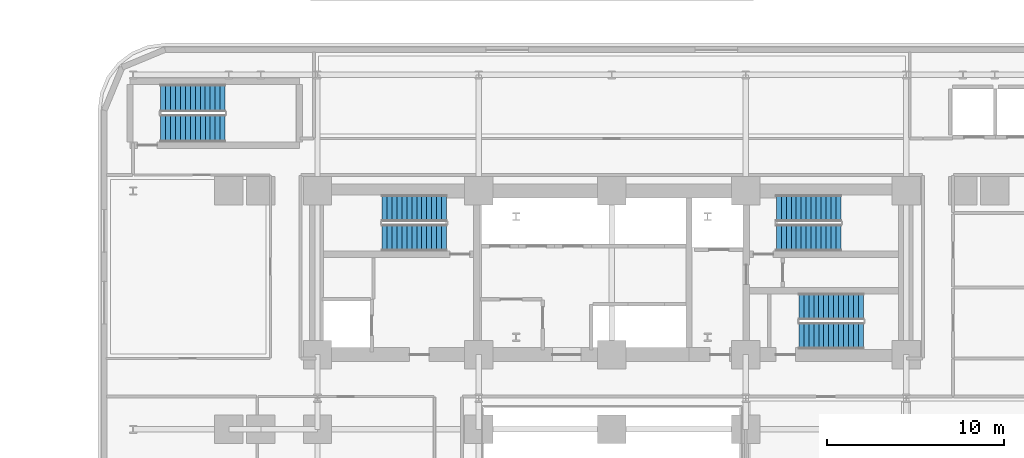
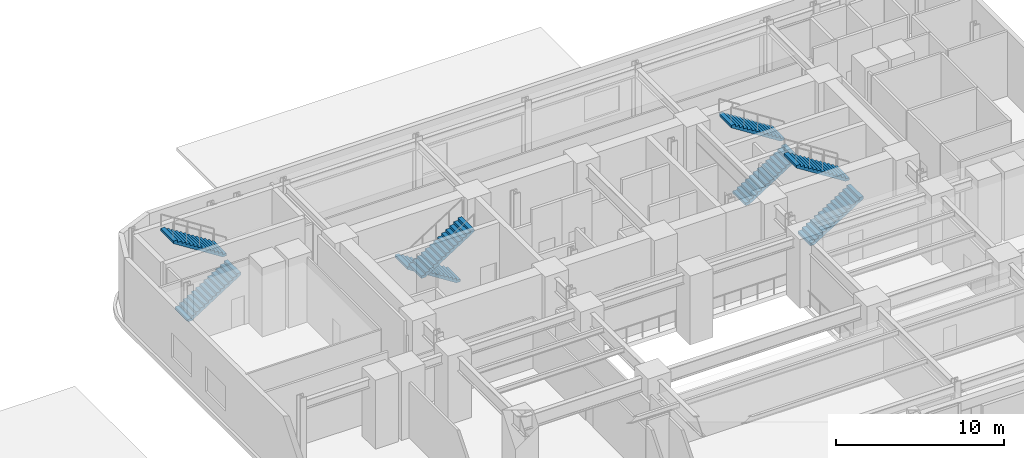
# One storey, part 8 of 12: 8 stair flights, 4 elements without a shape of their own.
"""IFC4 building model written with IfcOpenShell, lengths in metres."""

from ifc_helpers import new_model, si_unit, direction, frame, origin, place, context, subcontext, project, spatial, polyline, outline, extrude, material, layer, layer_set, type_object, element, aggregate, save


model = new_model("IFC4")

# Units and contexts
model_context = context("Model", 3, precision=1e-05, world=origin(), true_north=direction((0.0, 1.0)))
body_context = subcontext(model_context, "Body", "Model", "MODEL_VIEW")
ifc_project = project(units=[si_unit("LENGTHUNIT", "METRE"), si_unit("AREAUNIT", "SQUARE_METRE"), si_unit("VOLUMEUNIT", "CUBIC_METRE"), si_unit("PLANEANGLEUNIT", "RADIAN"), si_unit("MASSUNIT", "GRAM", prefix="KILO")], contexts=[model_context])

# Site, building, storey
site_placement = place(None, origin())
site = spatial("IfcSite", under=ifc_project, at=site_placement, CompositionType="ELEMENT")
building_placement = place(site_placement, origin())
building = spatial("IfcBuilding", under=site, at=building_placement, Name="Zarnavel Station Tower", CompositionType="ELEMENT")
storey_placement = place(building_placement, frame((0.0, 0.0, 5.39990234375)))
storey = spatial("IfcBuildingStorey", under=building, at=storey_placement, Name="L02", CompositionType="ELEMENT", Elevation=5.39990234375)

# Stair, stair flights
ifc_material_1 = material(Name="Concrete C45/55", Category="concrete")
stair_type_1 = type_object("IfcStairType", Name="ST_CORE_150", PredefinedType="HALF_TURN_STAIR", material=ifc_material_1)
stair_1_placement = place(storey_placement, origin())
stair_1 = element("IfcStair", 1, at=stair_1_placement, inside=storey, type_object=stair_type_1, Name="L02 Core Exit Stair ST1", PredefinedType="HALF_TURN_STAIR")
ifc_material_2 = material(Name="Concrete C45/55", Category="concrete")
ifc_layer_1 = layer(ifc_material_2, 0.179931640625)
ifc_layer_set_1 = layer_set([ifc_layer_1], Name="ST_CORE_150_FLT")
stair_flight_type_1 = type_object("IfcStairFlightType", Name="ST_CORE_150_FLT", PredefinedType="STRAIGHT", material=ifc_layer_set_1)
stair_flight_1_placement = place(storey_placement, frame((19.47998046875, 36.070068359375, 0.0), z_axis=(0.0, 0.0, 1.0), x_axis=(-1.0, 0.0, 0.0)))
stair_flight_1 = element("IfcStairFlight", 2, at=stair_flight_1_placement, type_object=stair_flight_type_1, Name="ST1 flight 1", NumberOfRisers=14, NumberOfTreads=13, PredefinedType="STRAIGHT", RiserHeight=0.178571429, TreadLength=0.28, context=body_context, shape_type="SweptSolid", body=[
    extrude(outline(polyline([(0.0, 0.0), (0.0, 0.178466796875), (0.280029296875, 0.178466796875), (0.280029296875, 0.357177734375), (0.56005859375, 0.357177734375), (0.56005859375, 0.53564453125), (0.840087890625, 0.53564453125), (0.840087890625, 0.71435546875), (1.1201171875, 0.71435546875), (1.1201171875, 0.892822265625), (1.39990234375, 0.892822265625), (1.39990234375, 1.071533203125), (1.679931640625, 1.071533203125), (1.679931640625, 1.25), (1.9599609375, 1.25), (1.9599609375, 1.428466796875), (2.239990234375, 1.428466796875), (2.239990234375, 1.607177734375), (2.52001953125, 1.607177734375), (2.52001953125, 1.78564453125), (2.800048828125, 1.78564453125), (2.800048828125, 1.96435546875), (3.080078125, 1.96435546875), (3.080078125, 2.142822265625), (3.360107421875, 2.142822265625), (3.360107421875, 2.321533203125), (3.639892578125, 2.321533203125), (3.639892578125, 2.5), (3.639892578125, 2.1435546875), (0.27880859375, 0.0), (0.0, 0.0)])), frame((0.0, 0.75, 0.0), z_axis=(0.0, -1.0, 0.0), x_axis=(1.0, 0.0, 0.0)), (0.0, 0.0, 1.0), 1.5),
])
stair_flight_2_placement = place(storey_placement, frame((15.840087890625, 34.409912109375, 2.5), z_axis=(0.0, 0.0, 1.0), x_axis=(1.0, 0.0, 0.0)))
stair_flight_2 = element("IfcStairFlight", 3, at=stair_flight_2_placement, type_object=stair_flight_type_1, Name="ST1 flight 2", NumberOfRisers=14, NumberOfTreads=13, PredefinedType="STRAIGHT", RiserHeight=0.178571429, TreadLength=0.28, context=body_context, shape_type="SweptSolid", body=[
    extrude(outline(polyline([(0.0, 0.0), (0.0, 0.178466796875), (0.280029296875, 0.178466796875), (0.280029296875, 0.357177734375), (0.56005859375, 0.357177734375), (0.56005859375, 0.53564453125), (0.840087890625, 0.53564453125), (0.840087890625, 0.71435546875), (1.1201171875, 0.71435546875), (1.1201171875, 0.892822265625), (1.39990234375, 0.892822265625), (1.39990234375, 1.071533203125), (1.679931640625, 1.071533203125), (1.679931640625, 1.25), (1.9599609375, 1.25), (1.9599609375, 1.428466796875), (2.239990234375, 1.428466796875), (2.239990234375, 1.607177734375), (2.52001953125, 1.607177734375), (2.52001953125, 1.78564453125), (2.800048828125, 1.78564453125), (2.800048828125, 1.96435546875), (3.080078125, 1.96435546875), (3.080078125, 2.142822265625), (3.360107421875, 2.142822265625), (3.360107421875, 2.321533203125), (3.639892578125, 2.321533203125), (3.639892578125, 2.5), (3.639892578125, 2.1435546875), (0.27880859375, 0.0), (0.0, 0.0)])), frame((0.0, 0.75, 0.0), z_axis=(0.0, -1.0, 0.0), x_axis=(1.0, 0.0, 0.0)), (0.0, 0.0, 1.0), 1.5),
])
aggregate(stair_1, [stair_flight_1, stair_flight_2])

stair_2_placement = place(storey_placement, origin())
stair_2 = element("IfcStair", 4, at=stair_2_placement, inside=storey, type_object=stair_type_1, Name="L02 Core Exit Stair ST2", PredefinedType="HALF_TURN_STAIR")
stair_flight_3_placement = place(storey_placement, frame((38.080078125, 34.409912109375, 0.0), z_axis=(0.0, 0.0, 1.0), x_axis=(1.0, 0.0, 0.0)))
stair_flight_3 = element("IfcStairFlight", 5, at=stair_flight_3_placement, type_object=stair_flight_type_1, Name="ST2 flight 1", NumberOfRisers=14, NumberOfTreads=13, PredefinedType="STRAIGHT", RiserHeight=0.178571429, TreadLength=0.28, context=body_context, shape_type="SweptSolid", body=[
    extrude(outline(polyline([(0.0, 0.0), (0.0, 0.178466796875), (0.280029296875, 0.178466796875), (0.280029296875, 0.357177734375), (0.56005859375, 0.357177734375), (0.56005859375, 0.53564453125), (0.840087890625, 0.53564453125), (0.840087890625, 0.71435546875), (1.1201171875, 0.71435546875), (1.1201171875, 0.892822265625), (1.39990234375, 0.892822265625), (1.39990234375, 1.071533203125), (1.679931640625, 1.071533203125), (1.679931640625, 1.25), (1.9599609375, 1.25), (1.9599609375, 1.428466796875), (2.239990234375, 1.428466796875), (2.239990234375, 1.607177734375), (2.52001953125, 1.607177734375), (2.52001953125, 1.78564453125), (2.800048828125, 1.78564453125), (2.800048828125, 1.96435546875), (3.080078125, 1.96435546875), (3.080078125, 2.142822265625), (3.360107421875, 2.142822265625), (3.360107421875, 2.321533203125), (3.639892578125, 2.321533203125), (3.639892578125, 2.5), (3.639892578125, 2.1435546875), (0.27880859375, 0.0), (0.0, 0.0)])), frame((0.0, 0.75, 0.0), z_axis=(0.0, -1.0, 0.0), x_axis=(1.0, 0.0, 0.0)), (0.0, 0.0, 1.0), 1.5),
])
stair_flight_4_placement = place(storey_placement, frame((41.719970703125, 36.070068359375, 2.5), z_axis=(0.0, 0.0, 1.0), x_axis=(-1.0, 0.0, 0.0)))
stair_flight_4 = element("IfcStairFlight", 6, at=stair_flight_4_placement, type_object=stair_flight_type_1, Name="ST2 flight 2", NumberOfRisers=14, NumberOfTreads=13, PredefinedType="STRAIGHT", RiserHeight=0.178571429, TreadLength=0.28, context=body_context, shape_type="SweptSolid", body=[
    extrude(outline(polyline([(0.0, 0.0), (0.0, 0.178466796875), (0.280029296875, 0.178466796875), (0.280029296875, 0.357177734375), (0.56005859375, 0.357177734375), (0.56005859375, 0.53564453125), (0.840087890625, 0.53564453125), (0.840087890625, 0.71435546875), (1.1201171875, 0.71435546875), (1.1201171875, 0.892822265625), (1.39990234375, 0.892822265625), (1.39990234375, 1.071533203125), (1.679931640625, 1.071533203125), (1.679931640625, 1.25), (1.9599609375, 1.25), (1.9599609375, 1.428466796875), (2.239990234375, 1.428466796875), (2.239990234375, 1.607177734375), (2.52001953125, 1.607177734375), (2.52001953125, 1.78564453125), (2.800048828125, 1.78564453125), (2.800048828125, 1.96435546875), (3.080078125, 1.96435546875), (3.080078125, 2.142822265625), (3.360107421875, 2.142822265625), (3.360107421875, 2.321533203125), (3.639892578125, 2.321533203125), (3.639892578125, 2.5), (3.639892578125, 2.1435546875), (0.27880859375, 0.0), (0.0, 0.0)])), frame((0.0, 0.75, 0.0), z_axis=(0.0, -1.0, 0.0), x_axis=(1.0, 0.0, 0.0)), (0.0, 0.0, 1.0), 1.5),
])
aggregate(stair_2, [stair_flight_3, stair_flight_4])

stair_3_placement = place(storey_placement, origin())
stair_3 = element("IfcStair", 7, at=stair_3_placement, inside=storey, type_object=stair_type_1, Name="L02 Core Exit Stair ST3", PredefinedType="HALF_TURN_STAIR")
stair_flight_5_placement = place(storey_placement, frame((39.35009765625, 28.8701171875, 0.0), z_axis=(0.0, 0.0, 1.0), x_axis=(1.0, 0.0, 0.0)))
stair_flight_5 = element("IfcStairFlight", 8, at=stair_flight_5_placement, type_object=stair_flight_type_1, Name="ST3 flight 1", NumberOfRisers=14, NumberOfTreads=13, PredefinedType="STRAIGHT", RiserHeight=0.178571429, TreadLength=0.28, context=body_context, shape_type="SweptSolid", body=[
    extrude(outline(polyline([(0.0, 0.0), (0.0, 0.178466796875), (0.280029296875, 0.178466796875), (0.280029296875, 0.357177734375), (0.56005859375, 0.357177734375), (0.56005859375, 0.53564453125), (0.840087890625, 0.53564453125), (0.840087890625, 0.71435546875), (1.1201171875, 0.71435546875), (1.1201171875, 0.892822265625), (1.39990234375, 0.892822265625), (1.39990234375, 1.071533203125), (1.679931640625, 1.071533203125), (1.679931640625, 1.25), (1.9599609375, 1.25), (1.9599609375, 1.428466796875), (2.239990234375, 1.428466796875), (2.239990234375, 1.607177734375), (2.52001953125, 1.607177734375), (2.52001953125, 1.78564453125), (2.800048828125, 1.78564453125), (2.800048828125, 1.96435546875), (3.080078125, 1.96435546875), (3.080078125, 2.142822265625), (3.360107421875, 2.142822265625), (3.360107421875, 2.321533203125), (3.639892578125, 2.321533203125), (3.639892578125, 2.5), (3.639892578125, 2.1435546875), (0.27880859375, 0.0), (0.0, 0.0)])), frame((0.0, 0.75, 0.0), z_axis=(0.0, -1.0, 0.0), x_axis=(1.0, 0.0, 0.0)), (0.0, 0.0, 1.0), 1.5),
])
stair_flight_6_placement = place(storey_placement, frame((42.989990234375, 30.530029296875, 2.5), z_axis=(0.0, 0.0, 1.0), x_axis=(-1.0, 0.0, 0.0)))
stair_flight_6 = element("IfcStairFlight", 9, at=stair_flight_6_placement, type_object=stair_flight_type_1, Name="ST3 flight 2", NumberOfRisers=14, NumberOfTreads=13, PredefinedType="STRAIGHT", RiserHeight=0.178571429, TreadLength=0.28, context=body_context, shape_type="SweptSolid", body=[
    extrude(outline(polyline([(0.0, 0.0), (0.0, 0.178466796875), (0.280029296875, 0.178466796875), (0.280029296875, 0.357177734375), (0.56005859375, 0.357177734375), (0.56005859375, 0.53564453125), (0.840087890625, 0.53564453125), (0.840087890625, 0.71435546875), (1.1201171875, 0.71435546875), (1.1201171875, 0.892822265625), (1.39990234375, 0.892822265625), (1.39990234375, 1.071533203125), (1.679931640625, 1.071533203125), (1.679931640625, 1.25), (1.9599609375, 1.25), (1.9599609375, 1.428466796875), (2.239990234375, 1.428466796875), (2.239990234375, 1.607177734375), (2.52001953125, 1.607177734375), (2.52001953125, 1.78564453125), (2.800048828125, 1.78564453125), (2.800048828125, 1.96435546875), (3.080078125, 1.96435546875), (3.080078125, 2.142822265625), (3.360107421875, 2.142822265625), (3.360107421875, 2.321533203125), (3.639892578125, 2.321533203125), (3.639892578125, 2.5), (3.639892578125, 2.1435546875), (0.27880859375, 0.0), (0.0, 0.0)])), frame((0.0, 0.75, 0.0), z_axis=(0.0, -1.0, 0.0), x_axis=(1.0, 0.0, 0.0)), (0.0, 0.0, 1.0), 1.5),
])
aggregate(stair_3, [stair_flight_5, stair_flight_6])

ifc_material_3 = material(Name="Concrete C45/55", Category="concrete")
stair_type_2 = type_object("IfcStairType", Name="ST_POD_155", PredefinedType="HALF_TURN_STAIR", material=ifc_material_3)
stair_4_placement = place(storey_placement, origin())
stair_4 = element("IfcStair", 10, at=stair_4_placement, inside=storey, type_object=stair_type_2, Name="L02 Core Exit Stair ST4", PredefinedType="HALF_TURN_STAIR")
ifc_material_4 = material(Name="Concrete C45/55", Category="concrete")
ifc_layer_2 = layer(ifc_material_4, 0.179931640625)
ifc_layer_set_2 = layer_set([ifc_layer_2], Name="ST_POD_155_FLT")
stair_flight_type_2 = type_object("IfcStairFlightType", Name="ST_POD_155_FLT", PredefinedType="STRAIGHT", material=ifc_layer_set_2)
stair_flight_7_placement = place(storey_placement, frame((3.35009765625, 40.574951171875, 0.0), z_axis=(0.0, 0.0, 1.0), x_axis=(1.0, 0.0, 0.0)))
stair_flight_7 = element("IfcStairFlight", 11, at=stair_flight_7_placement, type_object=stair_flight_type_2, Name="ST4 flight 1", NumberOfRisers=14, NumberOfTreads=13, PredefinedType="STRAIGHT", RiserHeight=0.178571429, TreadLength=0.28, context=body_context, shape_type="SweptSolid", body=[
    extrude(outline(polyline([(0.0, 0.0), (0.0, 0.178466796875), (0.280029296875, 0.178466796875), (0.280029296875, 0.357177734375), (0.56005859375, 0.357177734375), (0.56005859375, 0.53564453125), (0.840087890625, 0.53564453125), (0.840087890625, 0.71435546875), (1.1201171875, 0.71435546875), (1.1201171875, 0.892822265625), (1.39990234375, 0.892822265625), (1.39990234375, 1.071533203125), (1.679931640625, 1.071533203125), (1.679931640625, 1.25), (1.9599609375, 1.25), (1.9599609375, 1.428466796875), (2.239990234375, 1.428466796875), (2.239990234375, 1.607177734375), (2.52001953125, 1.607177734375), (2.52001953125, 1.78564453125), (2.800048828125, 1.78564453125), (2.800048828125, 1.96435546875), (3.080078125, 1.96435546875), (3.080078125, 2.142822265625), (3.360107421875, 2.142822265625), (3.360107421875, 2.321533203125), (3.639892578125, 2.321533203125), (3.639892578125, 2.5), (3.639892578125, 2.1435546875), (0.27880859375, 0.0), (0.0, 0.0)])), frame((0.0, 0.77490234375, 0.0), z_axis=(0.0, -1.0, 0.0), x_axis=(1.0, 0.0, 0.0)), (0.0, 0.0, 1.0), 1.550048828125),
])
stair_flight_8_placement = place(storey_placement, frame((6.989990234375, 42.284912109375, 2.5), z_axis=(0.0, 0.0, 1.0), x_axis=(-1.0, 0.0, 0.0)))
stair_flight_8 = element("IfcStairFlight", 12, at=stair_flight_8_placement, type_object=stair_flight_type_2, Name="ST4 flight 2", NumberOfRisers=14, NumberOfTreads=13, PredefinedType="STRAIGHT", RiserHeight=0.178571429, TreadLength=0.28, context=body_context, shape_type="SweptSolid", body=[
    extrude(outline(polyline([(0.0, 0.0), (0.0, 0.178466796875), (0.280029296875, 0.178466796875), (0.280029296875, 0.357177734375), (0.56005859375, 0.357177734375), (0.56005859375, 0.53564453125), (0.840087890625, 0.53564453125), (0.840087890625, 0.71435546875), (1.1201171875, 0.71435546875), (1.1201171875, 0.892822265625), (1.39990234375, 0.892822265625), (1.39990234375, 1.071533203125), (1.679931640625, 1.071533203125), (1.679931640625, 1.25), (1.9599609375, 1.25), (1.9599609375, 1.428466796875), (2.239990234375, 1.428466796875), (2.239990234375, 1.607177734375), (2.52001953125, 1.607177734375), (2.52001953125, 1.78564453125), (2.800048828125, 1.78564453125), (2.800048828125, 1.96435546875), (3.080078125, 1.96435546875), (3.080078125, 2.142822265625), (3.360107421875, 2.142822265625), (3.360107421875, 2.321533203125), (3.639892578125, 2.321533203125), (3.639892578125, 2.5), (3.639892578125, 2.1435546875), (0.27880859375, 0.0), (0.0, 0.0)])), frame((0.0, 0.77490234375, 0.0), z_axis=(0.0, -1.0, 0.0), x_axis=(1.0, 0.0, 0.0)), (0.0, 0.0, 1.0), 1.550048828125),
])
aggregate(stair_4, [stair_flight_7, stair_flight_8])

save(model, "model.ifc")
